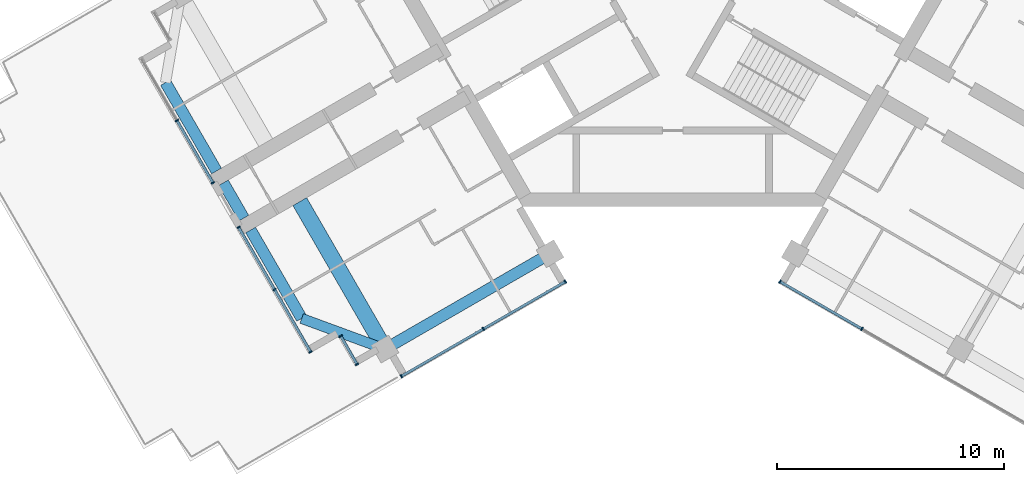
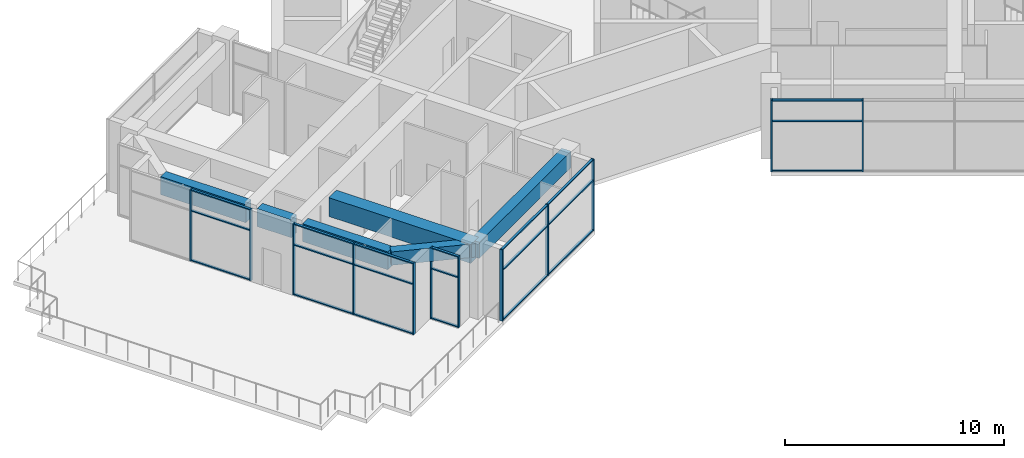
# One storey, part 2 of 13: 33 members, 6 beams, 5 elements without a shape of their own.
"""IFC4 building model written with IfcOpenShell, lengths in metres."""

from ifc_helpers import new_model, si_unit, direction, frame, origin, origin_2d, place, context, subcontext, project, spatial, rectangle, extrude, material, material_profile, profile_set, type_object, element, aggregate, save


model = new_model("IFC4")

# Units and contexts
model_context = context("Model", 3, precision=1e-05, world=origin(), true_north=direction((0.0, 1.0)))
body_context = subcontext(model_context, "Body", "Model", "MODEL_VIEW")
ifc_project = project(units=[si_unit("LENGTHUNIT", "METRE"), si_unit("AREAUNIT", "SQUARE_METRE"), si_unit("VOLUMEUNIT", "CUBIC_METRE"), si_unit("PLANEANGLEUNIT", "RADIAN"), si_unit("MASSUNIT", "GRAM", prefix="KILO")], contexts=[model_context])

# Site, building, storey
site_placement = place(None, origin())
site = spatial("IfcSite", under=ifc_project, at=site_placement, CompositionType="ELEMENT")
building_placement = place(site_placement, origin())
building = spatial("IfcBuilding", under=site, at=building_placement, Name="Impinga Residences", CompositionType="ELEMENT")
storey_placement = place(building_placement, frame((0.0, 0.0, 283.14990234375)))
storey = spatial("IfcBuildingStorey", under=building, at=storey_placement, Name="L71", CompositionType="ELEMENT", Elevation=283.14990234375)

# Beams
ifc_material_1 = material(Name="Concrete C60/75", Category="concrete")
ifc_material_profile_1 = material_profile(ifc_material_1, rectangle(XDim=0.449951171875, YDim=0.75, at=origin_2d()), Name="RC 450x750")
ifc_profile_set_1 = profile_set([ifc_material_profile_1], Name="Concrete C60/75")
beam_type_1 = type_object("IfcBeamType", Name="CB1 450x750 wing end cantilever beam", PredefinedType="BEAM", material=ifc_profile_set_1)
beam_1_placement = place(storey_placement, frame((-12.674560546875, -17.7099609375, 3.60498046875), z_axis=(-0.938520178725, 0.345224382289, 0.0), x_axis=(-0.345224382289, -0.938520178725, 0.0)))
element("IfcBeam", 1, at=beam_1_placement, inside=storey, type_object=beam_type_1, Name="Beam CB1 WB W2-WX level L72", PredefinedType="BEAM", context=body_context, shape_type="SweptSolid", body=[
    extrude(rectangle(XDim=0.449951171875, YDim=0.75, at=origin_2d()), origin(), (0.0, 0.0, 1.0), 3.905029296875),
])
ifc_material_profile_2 = material_profile(ifc_material_1, rectangle(XDim=0.699951171875, YDim=1.050048828125, at=origin_2d()), Name="RC 700x1050")
ifc_profile_set_2 = profile_set([ifc_material_profile_2], Name="Concrete C60/75")
beam_type_2 = type_object("IfcBeamType", Name="CG1 700x1050 cross girder on a wing bay line", PredefinedType="BEAM", material=ifc_profile_set_2)
beam_2_placement = place(storey_placement, frame((-16.424560546875, -11.21484375, 3.455078125), z_axis=(0.500004234368, -0.866022959057, 0.0), x_axis=(0.866022959057, 0.500004234368, 0.0)))
element("IfcBeam", 2, at=beam_2_placement, inside=storey, type_object=beam_type_2, Name="Beam CG1 W2 WC/WA level L72", PredefinedType="BEAM", context=body_context, shape_type="SweptSolid", body=[
    extrude(rectangle(XDim=0.699951171875, YDim=1.050048828125, at=origin_2d()), origin(), (0.0, 0.0, 1.0), 7.5),
])

# Curtain wall, members
ifc_material_2 = material(Name="Aluminium stick curtain wall", Category="aluminium")
curtain_wall_type = type_object("IfcCurtainWallType", Name="CW3 penthouse curtain wall", PredefinedType="USERDEFINED", material=ifc_material_2)
curtain_wall_1_placement = place(storey_placement, origin())
curtain_wall_1 = element("IfcCurtainWall", 3, at=curtain_wall_1_placement, inside=storey, type_object=curtain_wall_type, Name="Curtain wall CW3 L71", ObjectType="STICK CURTAIN WALL", PredefinedType="USERDEFINED")
ifc_material_3 = material(Name="Aluminium mullion", Category="aluminium")
ifc_material_profile_3 = material_profile(ifc_material_3, rectangle(XDim=0.06005859375, YDim=0.159912109375, at=origin_2d()), Name="60x160 mullion")
ifc_profile_set_3 = profile_set([ifc_material_profile_3], Name="Aluminium mullion")
member_type_1 = type_object("IfcMemberType", Name="CW3-M mullion 60x160", PredefinedType="MULLION", material=ifc_profile_set_3)
member_1_placement = place(storey_placement, frame((8.33740234375, -16.822509765625, 0.0), z_axis=(0.0, 0.0, 1.0), x_axis=(-0.866025407005, 0.499999994423, 0.0)))
member_1 = element("IfcMember", 4, at=member_1_placement, type_object=member_type_1, Name="CW3 mullion 4", PredefinedType="MULLION", context=body_context, shape_type="SweptSolid", body=[
    extrude(rectangle(XDim=0.06005859375, YDim=0.159912109375, at=origin_2d()), origin(), (0.0, 0.0, 1.0), 3.97998046875),
])
member_2_placement = place(storey_placement, frame((4.72607421875, -14.737548828125, 0.0), z_axis=(0.0, 0.0, 1.0), x_axis=(-0.866025407005, 0.499999994423, 0.0)))
member_2 = element("IfcMember", 5, at=member_2_placement, type_object=member_type_1, Name="CW3 mullion 5", PredefinedType="MULLION", context=body_context, shape_type="SweptSolid", body=[
    extrude(rectangle(XDim=0.06005859375, YDim=0.159912109375, at=origin_2d()), origin(), (0.0, 0.0, 1.0), 3.97998046875),
])

curtain_wall_2_placement = place(storey_placement, origin())
curtain_wall_2 = element("IfcCurtainWall", 6, at=curtain_wall_2_placement, inside=storey, type_object=curtain_wall_type, Name="Curtain wall CW3 L71", ObjectType="STICK CURTAIN WALL", PredefinedType="USERDEFINED")
member_3_placement = place(storey_placement, frame((-4.72607421875, -14.737548828125, 0.0), z_axis=(0.0, 0.0, 1.0), x_axis=(-0.866025392126, -0.500000020194, 0.0)))
member_3 = element("IfcMember", 7, at=member_3_placement, type_object=member_type_1, Name="CW3 mullion 1", PredefinedType="MULLION", context=body_context, shape_type="SweptSolid", body=[
    extrude(rectangle(XDim=0.06005859375, YDim=0.159912109375, at=origin_2d()), origin(), (0.0, 0.0, 1.0), 3.97998046875),
])
member_4_placement = place(storey_placement, frame((-8.33740234375, -16.822509765625, 0.0), z_axis=(0.0, 0.0, 1.0), x_axis=(-0.866025392126, -0.500000020194, 0.0)))
member_4 = element("IfcMember", 8, at=member_4_placement, type_object=member_type_1, Name="CW3 mullion 2", PredefinedType="MULLION", context=body_context, shape_type="SweptSolid", body=[
    extrude(rectangle(XDim=0.06005859375, YDim=0.159912109375, at=origin_2d()), origin(), (0.0, 0.0, 1.0), 3.97998046875),
])
member_5_placement = place(storey_placement, frame((-11.94873046875, -18.907470703125, 0.0), z_axis=(0.0, 0.0, 1.0), x_axis=(-0.866025392126, -0.500000020194, 0.0)))
member_5 = element("IfcMember", 9, at=member_5_placement, type_object=member_type_1, Name="CW3 mullion 3", PredefinedType="MULLION", context=body_context, shape_type="SweptSolid", body=[
    extrude(rectangle(XDim=0.06005859375, YDim=0.159912109375, at=origin_2d()), origin(), (0.0, 0.0, 1.0), 3.97998046875),
])

curtain_wall_3_placement = place(storey_placement, origin())
curtain_wall_3 = element("IfcCurtainWall", 10, at=curtain_wall_3_placement, inside=storey, type_object=curtain_wall_type, Name="Curtain wall CW3 L71", ObjectType="STICK CURTAIN WALL", PredefinedType="USERDEFINED")
member_6_placement = place(storey_placement, frame((-13.902099609375, -18.384033203125, 0.0), z_axis=(0.0, 0.0, 1.0), x_axis=(-0.500000030502, 0.866025386174, 0.0)))
member_6 = element("IfcMember", 11, at=member_6_placement, type_object=member_type_1, Name="CW3 mullion 1", PredefinedType="MULLION", context=body_context, shape_type="SweptSolid", body=[
    extrude(rectangle(XDim=0.06005859375, YDim=0.159912109375, at=origin_2d()), origin(), (0.0, 0.0, 1.0), 3.97998046875),
])
member_7_placement = place(storey_placement, frame((-14.6220703125, -17.136962890625, 0.0), z_axis=(0.0, 0.0, 1.0), x_axis=(-0.500000030502, 0.866025386174, 0.0)))
member_7 = element("IfcMember", 12, at=member_7_placement, type_object=member_type_1, Name="CW3 mullion 2", PredefinedType="MULLION", context=body_context, shape_type="SweptSolid", body=[
    extrude(rectangle(XDim=0.06005859375, YDim=0.159912109375, at=origin_2d()), origin(), (0.0, 0.0, 1.0), 3.97998046875),
])

curtain_wall_4_placement = place(storey_placement, origin())
curtain_wall_4 = element("IfcCurtainWall", 13, at=curtain_wall_4_placement, inside=storey, type_object=curtain_wall_type, Name="Curtain wall CW3 L71", ObjectType="STICK CURTAIN WALL", PredefinedType="USERDEFINED")
member_8_placement = place(storey_placement, frame((-15.951171875, -17.8349609375, 0.0), z_axis=(0.0, 0.0, 1.0), x_axis=(-0.499999971871, 0.866025420025, 0.0)))
member_8 = element("IfcMember", 14, at=member_8_placement, type_object=member_type_1, Name="CW3 mullion 1", PredefinedType="MULLION", context=body_context, shape_type="SweptSolid", body=[
    extrude(rectangle(XDim=0.06005859375, YDim=0.159912109375, at=origin_2d()), origin(), (0.0, 0.0, 1.0), 3.97998046875),
])
member_9_placement = place(storey_placement, frame((-17.5361328125, -15.089599609375, 0.0), z_axis=(0.0, 0.0, 1.0), x_axis=(-0.499999971871, 0.866025420025, 0.0)))
member_9 = element("IfcMember", 15, at=member_9_placement, type_object=member_type_1, Name="CW3 mullion 2", PredefinedType="MULLION", context=body_context, shape_type="SweptSolid", body=[
    extrude(rectangle(XDim=0.06005859375, YDim=0.159912109375, at=origin_2d()), origin(), (0.0, 0.0, 1.0), 3.97998046875),
])
member_10_placement = place(storey_placement, frame((-19.12109375, -12.344482421875, 0.0), z_axis=(0.0, 0.0, 1.0), x_axis=(-0.499999971871, 0.866025420025, 0.0)))
member_10 = element("IfcMember", 16, at=member_10_placement, type_object=member_type_1, Name="CW3 mullion 3", PredefinedType="MULLION", context=body_context, shape_type="SweptSolid", body=[
    extrude(rectangle(XDim=0.06005859375, YDim=0.159912109375, at=origin_2d()), origin(), (0.0, 0.0, 1.0), 3.97998046875),
])

curtain_wall_5_placement = place(storey_placement, origin())
curtain_wall_5 = element("IfcCurtainWall", 17, at=curtain_wall_5_placement, inside=storey, type_object=curtain_wall_type, Name="Curtain wall CW3 L71", ObjectType="STICK CURTAIN WALL", PredefinedType="USERDEFINED")
member_11_placement = place(storey_placement, frame((-20.2509765625, -10.38720703125, 0.0), z_axis=(0.0, 0.0, 1.0), x_axis=(-0.499999971871, 0.866025420025, 0.0)))
member_11 = element("IfcMember", 18, at=member_11_placement, type_object=member_type_1, Name="CW3 mullion 1", PredefinedType="MULLION", context=body_context, shape_type="SweptSolid", body=[
    extrude(rectangle(XDim=0.06005859375, YDim=0.159912109375, at=origin_2d()), origin(), (0.0, 0.0, 1.0), 3.97998046875),
])
member_12_placement = place(storey_placement, frame((-21.836181640625, -7.641845703125, 0.0), z_axis=(0.0, 0.0, 1.0), x_axis=(-0.499999971871, 0.866025420025, 0.0)))
member_12 = element("IfcMember", 19, at=member_12_placement, type_object=member_type_1, Name="CW3 mullion 2", PredefinedType="MULLION", context=body_context, shape_type="SweptSolid", body=[
    extrude(rectangle(XDim=0.06005859375, YDim=0.159912109375, at=origin_2d()), origin(), (0.0, 0.0, 1.0), 3.97998046875),
])

# Member
ifc_material_4 = material(Name="Aluminium transom", Category="aluminium")
ifc_material_profile_4 = material_profile(ifc_material_4, rectangle(XDim=0.06005859375, YDim=0.1201171875, at=origin_2d()), Name="60x120 transom")
ifc_profile_set_4 = profile_set([ifc_material_profile_4], Name="Aluminium transom")
member_type_2 = type_object("IfcMemberType", Name="CW3-T transom 60x120", PredefinedType="USERDEFINED", material=ifc_profile_set_4)
member_13_placement = place(storey_placement, frame((8.311279296875, -16.807373046875, 0.030029296875), z_axis=(-0.866030279993, 0.499991554064, 0.0), x_axis=(0.0, 0.0, 1.0)))
member_13 = element("IfcMember", 20, at=member_13_placement, type_object=member_type_2, Name="CW3 transom 4.1", ObjectType="TRANSOM", PredefinedType="USERDEFINED", context=body_context, shape_type="SweptSolid", body=[
    extrude(rectangle(XDim=0.06005859375, YDim=0.1201171875, at=origin_2d()), origin(), (0.0, 0.0, 1.0), 4.10986328125),
])

member_14_placement = place(storey_placement, frame((8.311279296875, -16.807373046875, 2.800048828125), z_axis=(-0.866030279993, 0.499991554064, 0.0), x_axis=(0.0, 0.0, 1.0)))
member_14 = element("IfcMember", 21, at=member_14_placement, type_object=member_type_2, Name="CW3 transom 4.2", ObjectType="TRANSOM", PredefinedType="USERDEFINED", context=body_context, shape_type="SweptSolid", body=[
    extrude(rectangle(XDim=0.06005859375, YDim=0.1201171875, at=origin_2d()), origin(), (0.0, 0.0, 1.0), 4.10986328125),
])

member_15_placement = place(storey_placement, frame((8.311279296875, -16.807373046875, 3.9501953125), z_axis=(-0.866030279993, 0.499991554064, 0.0), x_axis=(0.0, 0.0, 1.0)))
member_15 = element("IfcMember", 22, at=member_15_placement, type_object=member_type_2, Name="CW3 transom 4.3", ObjectType="TRANSOM", PredefinedType="USERDEFINED", context=body_context, shape_type="SweptSolid", body=[
    extrude(rectangle(XDim=0.06005859375, YDim=0.1201171875, at=origin_2d()), origin(), (0.0, 0.0, 1.0), 4.10986328125),
])

aggregate(curtain_wall_1, [member_1, member_2, member_13, member_14, member_15])

member_16_placement = place(storey_placement, frame((-4.751953125, -14.75244140625, 0.030029296875), z_axis=(-0.866030279993, -0.499991554064, 0.0), x_axis=(0.0, 0.0, 1.0)))
member_16 = element("IfcMember", 23, at=member_16_placement, type_object=member_type_2, Name="CW3 transom 1.1", ObjectType="TRANSOM", PredefinedType="USERDEFINED", context=body_context, shape_type="SweptSolid", body=[
    extrude(rectangle(XDim=0.06005859375, YDim=0.1201171875, at=origin_2d()), origin(), (0.0, 0.0, 1.0), 4.10986328125),
])

member_17_placement = place(storey_placement, frame((-4.751953125, -14.75244140625, 2.800048828125), z_axis=(-0.866030279993, -0.499991554064, 0.0), x_axis=(0.0, 0.0, 1.0)))
member_17 = element("IfcMember", 24, at=member_17_placement, type_object=member_type_2, Name="CW3 transom 1.2", ObjectType="TRANSOM", PredefinedType="USERDEFINED", context=body_context, shape_type="SweptSolid", body=[
    extrude(rectangle(XDim=0.06005859375, YDim=0.1201171875, at=origin_2d()), origin(), (0.0, 0.0, 1.0), 4.10986328125),
])

member_18_placement = place(storey_placement, frame((-4.751953125, -14.75244140625, 3.9501953125), z_axis=(-0.866030279993, -0.499991554064, 0.0), x_axis=(0.0, 0.0, 1.0)))
member_18 = element("IfcMember", 25, at=member_18_placement, type_object=member_type_2, Name="CW3 transom 1.3", ObjectType="TRANSOM", PredefinedType="USERDEFINED", context=body_context, shape_type="SweptSolid", body=[
    extrude(rectangle(XDim=0.06005859375, YDim=0.1201171875, at=origin_2d()), origin(), (0.0, 0.0, 1.0), 4.10986328125),
])

member_19_placement = place(storey_placement, frame((-8.36328125, -16.83740234375, 0.030029296875), z_axis=(-0.866030279993, -0.499991554064, 0.0), x_axis=(0.0, 0.0, 1.0)))
member_19 = element("IfcMember", 26, at=member_19_placement, type_object=member_type_2, Name="CW3 transom 2.1", ObjectType="TRANSOM", PredefinedType="USERDEFINED", context=body_context, shape_type="SweptSolid", body=[
    extrude(rectangle(XDim=0.06005859375, YDim=0.1201171875, at=origin_2d()), origin(), (0.0, 0.0, 1.0), 4.10986328125),
])

member_20_placement = place(storey_placement, frame((-8.36328125, -16.83740234375, 2.800048828125), z_axis=(-0.866030279993, -0.499991554064, 0.0), x_axis=(0.0, 0.0, 1.0)))
member_20 = element("IfcMember", 27, at=member_20_placement, type_object=member_type_2, Name="CW3 transom 2.2", ObjectType="TRANSOM", PredefinedType="USERDEFINED", context=body_context, shape_type="SweptSolid", body=[
    extrude(rectangle(XDim=0.06005859375, YDim=0.1201171875, at=origin_2d()), origin(), (0.0, 0.0, 1.0), 4.10986328125),
])

member_21_placement = place(storey_placement, frame((-8.36328125, -16.83740234375, 3.9501953125), z_axis=(-0.866030279993, -0.499991554064, 0.0), x_axis=(0.0, 0.0, 1.0)))
member_21 = element("IfcMember", 28, at=member_21_placement, type_object=member_type_2, Name="CW3 transom 2.3", ObjectType="TRANSOM", PredefinedType="USERDEFINED", context=body_context, shape_type="SweptSolid", body=[
    extrude(rectangle(XDim=0.06005859375, YDim=0.1201171875, at=origin_2d()), origin(), (0.0, 0.0, 1.0), 4.10986328125),
])

aggregate(curtain_wall_2, [member_3, member_4, member_5, member_16, member_17, member_18, member_19, member_20, member_21])

member_22_placement = place(storey_placement, frame((-13.9169921875, -18.358154296875, 0.030029296875), z_axis=(-0.499906209203, 0.866079547155, 0.0), x_axis=(0.0, 0.0, 1.0)))
member_22 = element("IfcMember", 29, at=member_22_placement, type_object=member_type_2, Name="CW3 transom 1.1", ObjectType="TRANSOM", PredefinedType="USERDEFINED", context=body_context, shape_type="SweptSolid", body=[
    extrude(rectangle(XDim=0.06005859375, YDim=0.1201171875, at=origin_2d()), origin(), (0.0, 0.0, 1.0), 1.380126953125),
])

member_23_placement = place(storey_placement, frame((-13.9169921875, -18.358154296875, 2.800048828125), z_axis=(-0.499906209203, 0.866079547155, 0.0), x_axis=(0.0, 0.0, 1.0)))
member_23 = element("IfcMember", 30, at=member_23_placement, type_object=member_type_2, Name="CW3 transom 1.2", ObjectType="TRANSOM", PredefinedType="USERDEFINED", context=body_context, shape_type="SweptSolid", body=[
    extrude(rectangle(XDim=0.06005859375, YDim=0.1201171875, at=origin_2d()), origin(), (0.0, 0.0, 1.0), 1.380126953125),
])

member_24_placement = place(storey_placement, frame((-13.9169921875, -18.358154296875, 3.9501953125), z_axis=(-0.499906209203, 0.866079547155, 0.0), x_axis=(0.0, 0.0, 1.0)))
member_24 = element("IfcMember", 31, at=member_24_placement, type_object=member_type_2, Name="CW3 transom 1.3", ObjectType="TRANSOM", PredefinedType="USERDEFINED", context=body_context, shape_type="SweptSolid", body=[
    extrude(rectangle(XDim=0.06005859375, YDim=0.1201171875, at=origin_2d()), origin(), (0.0, 0.0, 1.0), 1.380126953125),
])

aggregate(curtain_wall_3, [member_6, member_7, member_22, member_23, member_24])

member_25_placement = place(storey_placement, frame((-15.966064453125, -17.80908203125, 0.030029296875), z_axis=(-0.499980678337, 0.866036558865, 0.0), x_axis=(0.0, 0.0, 1.0)))
member_25 = element("IfcMember", 32, at=member_25_placement, type_object=member_type_2, Name="CW3 transom 1.1", ObjectType="TRANSOM", PredefinedType="USERDEFINED", context=body_context, shape_type="SweptSolid", body=[
    extrude(rectangle(XDim=0.06005859375, YDim=0.1201171875, at=origin_2d()), origin(), (0.0, 0.0, 1.0), 3.10986328125),
])

member_26_placement = place(storey_placement, frame((-15.966064453125, -17.80908203125, 2.800048828125), z_axis=(-0.499980678337, 0.866036558865, 0.0), x_axis=(0.0, 0.0, 1.0)))
member_26 = element("IfcMember", 33, at=member_26_placement, type_object=member_type_2, Name="CW3 transom 1.2", ObjectType="TRANSOM", PredefinedType="USERDEFINED", context=body_context, shape_type="SweptSolid", body=[
    extrude(rectangle(XDim=0.06005859375, YDim=0.1201171875, at=origin_2d()), origin(), (0.0, 0.0, 1.0), 3.10986328125),
])

member_27_placement = place(storey_placement, frame((-15.966064453125, -17.80908203125, 3.9501953125), z_axis=(-0.499980678337, 0.866036558865, 0.0), x_axis=(0.0, 0.0, 1.0)))
member_27 = element("IfcMember", 34, at=member_27_placement, type_object=member_type_2, Name="CW3 transom 1.3", ObjectType="TRANSOM", PredefinedType="USERDEFINED", context=body_context, shape_type="SweptSolid", body=[
    extrude(rectangle(XDim=0.06005859375, YDim=0.1201171875, at=origin_2d()), origin(), (0.0, 0.0, 1.0), 3.10986328125),
])

member_28_placement = place(storey_placement, frame((-17.551025390625, -15.063720703125, 0.030029296875), z_axis=(-0.500039553057, 0.866002566612, 0.0), x_axis=(0.0, 0.0, 1.0)))
member_28 = element("IfcMember", 35, at=member_28_placement, type_object=member_type_2, Name="CW3 transom 2.1", ObjectType="TRANSOM", PredefinedType="USERDEFINED", context=body_context, shape_type="SweptSolid", body=[
    extrude(rectangle(XDim=0.06005859375, YDim=0.1201171875, at=origin_2d()), origin(), (0.0, 0.0, 1.0), 3.110107421875),
])

member_29_placement = place(storey_placement, frame((-17.551025390625, -15.063720703125, 2.800048828125), z_axis=(-0.500039553057, 0.866002566612, 0.0), x_axis=(0.0, 0.0, 1.0)))
member_29 = element("IfcMember", 36, at=member_29_placement, type_object=member_type_2, Name="CW3 transom 2.2", ObjectType="TRANSOM", PredefinedType="USERDEFINED", context=body_context, shape_type="SweptSolid", body=[
    extrude(rectangle(XDim=0.06005859375, YDim=0.1201171875, at=origin_2d()), origin(), (0.0, 0.0, 1.0), 3.110107421875),
])

member_30_placement = place(storey_placement, frame((-17.551025390625, -15.063720703125, 3.9501953125), z_axis=(-0.500039553057, 0.866002566612, 0.0), x_axis=(0.0, 0.0, 1.0)))
member_30 = element("IfcMember", 37, at=member_30_placement, type_object=member_type_2, Name="CW3 transom 2.3", ObjectType="TRANSOM", PredefinedType="USERDEFINED", context=body_context, shape_type="SweptSolid", body=[
    extrude(rectangle(XDim=0.06005859375, YDim=0.1201171875, at=origin_2d()), origin(), (0.0, 0.0, 1.0), 3.110107421875),
])

aggregate(curtain_wall_4, [member_8, member_9, member_10, member_25, member_26, member_27, member_28, member_29, member_30])

member_31_placement = place(storey_placement, frame((-20.26611328125, -10.361083984375, 0.030029296875), z_axis=(-0.499980678337, 0.866036558865, 0.0), x_axis=(0.0, 0.0, 1.0)))
member_31 = element("IfcMember", 38, at=member_31_placement, type_object=member_type_2, Name="CW3 transom 1.1", ObjectType="TRANSOM", PredefinedType="USERDEFINED", context=body_context, shape_type="SweptSolid", body=[
    extrude(rectangle(XDim=0.06005859375, YDim=0.1201171875, at=origin_2d()), origin(), (0.0, 0.0, 1.0), 3.10986328125),
])

member_32_placement = place(storey_placement, frame((-20.26611328125, -10.361083984375, 2.800048828125), z_axis=(-0.499980678337, 0.866036558865, 0.0), x_axis=(0.0, 0.0, 1.0)))
member_32 = element("IfcMember", 39, at=member_32_placement, type_object=member_type_2, Name="CW3 transom 1.2", ObjectType="TRANSOM", PredefinedType="USERDEFINED", context=body_context, shape_type="SweptSolid", body=[
    extrude(rectangle(XDim=0.06005859375, YDim=0.1201171875, at=origin_2d()), origin(), (0.0, 0.0, 1.0), 3.10986328125),
])

member_33_placement = place(storey_placement, frame((-20.26611328125, -10.361083984375, 3.9501953125), z_axis=(-0.499980678337, 0.866036558865, 0.0), x_axis=(0.0, 0.0, 1.0)))
member_33 = element("IfcMember", 40, at=member_33_placement, type_object=member_type_2, Name="CW3 transom 1.3", ObjectType="TRANSOM", PredefinedType="USERDEFINED", context=body_context, shape_type="SweptSolid", body=[
    extrude(rectangle(XDim=0.06005859375, YDim=0.1201171875, at=origin_2d()), origin(), (0.0, 0.0, 1.0), 3.10986328125),
])

aggregate(curtain_wall_5, [member_11, member_12, member_31, member_32, member_33])

# Beams
ifc_material_profile_5 = material_profile(ifc_material_1, rectangle(XDim=0.5, YDim=1.0, at=origin_2d()), Name="RC 500x1000")
ifc_profile_set_5 = profile_set([ifc_material_profile_5], Name="Concrete C60/75")
beam_type_3 = type_object("IfcBeamType", Name="EB1 500x1000 wing end beam", PredefinedType="BEAM", material=ifc_profile_set_5)
beam_3_placement = place(storey_placement, frame((-16.339599609375, -16.36181640625, 3.47998046875), z_axis=(-0.500013631625, 0.866017533419, 0.0), x_axis=(-0.866017533419, -0.500013631625, 0.0)))
element("IfcBeam", 41, at=beam_3_placement, inside=storey, type_object=beam_type_3, Name="Beam EB1 WX1 level L72", PredefinedType="BEAM", context=body_context, shape_type="SweptSolid", body=[
    extrude(rectangle(XDim=0.5, YDim=1.0, at=origin_2d()), origin(), (0.0, 0.0, 1.0), 4.499755859375),
])
beam_4_placement = place(storey_placement, frame((-18.8896484375, -11.945068359375, 3.47998046875), z_axis=(-0.500062916607, 0.865989075817, 0.0), x_axis=(-0.865989075817, -0.500062916607, 0.0)))
element("IfcBeam", 42, at=beam_4_placement, inside=storey, type_object=beam_type_3, Name="Beam EB1 WX1 level L72", PredefinedType="BEAM", context=body_context, shape_type="SweptSolid", body=[
    extrude(rectangle(XDim=0.5, YDim=1.0, at=origin_2d()), origin(), (0.0, 0.0, 1.0), 1.800048828125),
])
beam_5_placement = place(storey_placement, frame((-20.089599609375, -9.86669921875, 3.47998046875), z_axis=(-0.500013631625, 0.866017533419, 0.0), x_axis=(-0.866017533419, -0.500013631625, 0.0)))
element("IfcBeam", 43, at=beam_5_placement, inside=storey, type_object=beam_type_3, Name="Beam EB1 WX1 level L72", PredefinedType="BEAM", context=body_context, shape_type="SweptSolid", body=[
    extrude(rectangle(XDim=0.5, YDim=1.0, at=origin_2d()), origin(), (0.0, 0.0, 1.0), 4.499755859375),
])
ifc_material_profile_6 = material_profile(ifc_material_1, rectangle(XDim=0.5, YDim=0.89990234375, at=origin_2d()), Name="RC 500x900")
ifc_profile_set_6 = profile_set([ifc_material_profile_6], Name="Concrete C60/75")
beam_type_4 = type_object("IfcBeamType", Name="SB1 500x900 perimeter spandrel beam", PredefinedType="SPANDREL", material=ifc_profile_set_6)
beam_6_placement = place(storey_placement, frame((-5.39990234375, -13.510009765625, 3.530029296875), z_axis=(-0.86602925447, -0.499993330357, 0.0), x_axis=(0.499993330357, -0.86602925447, 0.0)))
element("IfcBeam", 44, at=beam_6_placement, inside=storey, type_object=beam_type_4, Name="Beam SB1 WA W1-W2 level L72", PredefinedType="SPANDREL", context=body_context, shape_type="SweptSolid", body=[
    extrude(rectangle(XDim=0.5, YDim=0.89990234375, at=origin_2d()), origin(), (0.0, 0.0, 1.0), 8.39990234375),
])

save(model, "model.ifc")
